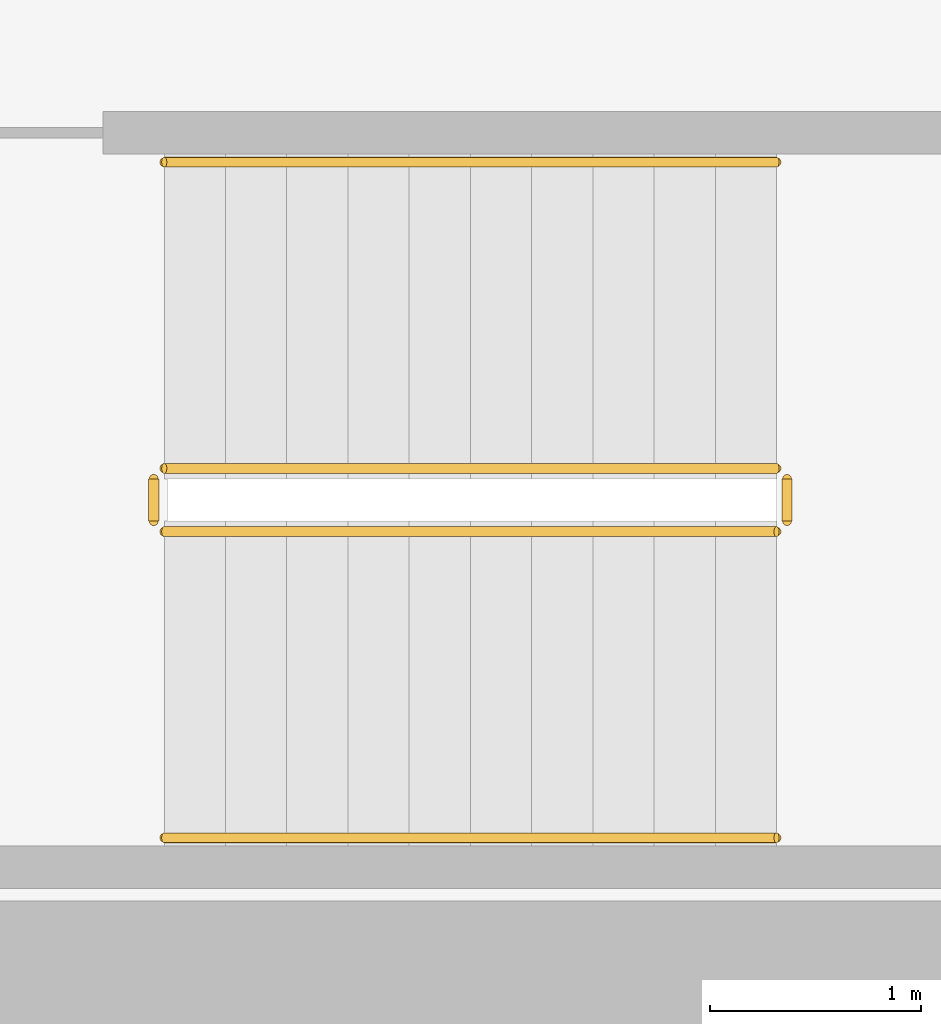
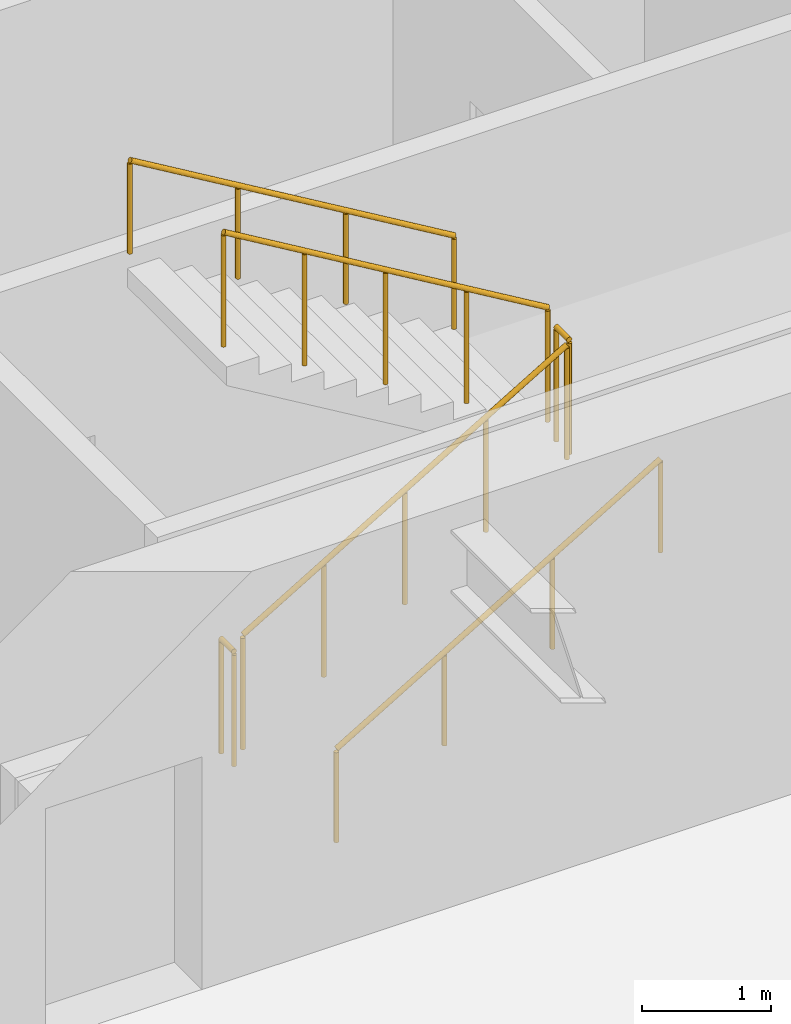
# One storey, part 19 of 20: 6 railings.
"""IFC4 building model written with IfcOpenShell, lengths in metres."""

from ifc_helpers import new_model, si_unit, direction, frame, origin, origin_2d, place, context, subcontext, project, spatial, circle, extrude, material, type_object, element, save


model = new_model("IFC4")

# Units and contexts
model_context = context("Model", 3, precision=1e-05, world=origin(), true_north=direction((0.0, 1.0)))
body_context = subcontext(model_context, "Body", "Model", "MODEL_VIEW")
ifc_project = project(units=[si_unit("LENGTHUNIT", "METRE"), si_unit("AREAUNIT", "SQUARE_METRE"), si_unit("VOLUMEUNIT", "CUBIC_METRE"), si_unit("PLANEANGLEUNIT", "RADIAN"), si_unit("MASSUNIT", "GRAM", prefix="KILO")], contexts=[model_context])

# Site, building, storey
site_placement = place(None, origin())
site = spatial("IfcSite", under=ifc_project, at=site_placement, CompositionType="ELEMENT")
building_placement = place(site_placement, origin())
building = spatial("IfcBuilding", under=site, at=building_placement, Name="Putna Gate Headquarters", CompositionType="ELEMENT")
storey_placement = place(building_placement, frame((0.0, 0.0, 124.0)))
storey = spatial("IfcBuildingStorey", under=building, at=storey_placement, Name="L30", CompositionType="ELEMENT", Elevation=124.0)

# Railings
ifc_material_1 = material(Name="Powder-coated steel stair guardrail", Category="steel")
railing_type_1 = type_object("IfcRailingType", Name="RAIL-STAIR-GUARD-1100", PredefinedType="GUARDRAIL", material=ifc_material_1)
railing_1_placement = place(storey_placement, frame((57.89990234375, 21.10009765625, 0.172607421875)))
element("IfcRailing", 1, at=railing_1_placement, inside=storey, type_object=railing_type_1, Name="L30 ST2 stair guard 1", PredefinedType="GUARDRAIL", context=body_context, shape_type="SweptSolid", body=[
    extrude(circle(Radius=0.02392578125, at=origin_2d()), frame((0.0, 0.0, 1.076171875), z_axis=(0.859160404282, 0.0, 0.51170636083), x_axis=(0.0, 1.0, 0.0)), (0.0, 0.0, 1.0), 3.37548828125),
    extrude(circle(Radius=0.02099609375, at=origin_2d()), origin(), (0.0, 0.0, 1.0), 1.052001953125),
    extrude(circle(Radius=0.02099609375, at=origin_2d()), frame((0.72509765625, 0.0, 0.431884765625)), (0.0, 0.0, 1.0), 1.052001953125),
    extrude(circle(Radius=0.02099609375, at=origin_2d()), frame((1.4501953125, 0.0, 0.86376953125)), (0.0, 0.0, 1.0), 1.052001953125),
    extrude(circle(Radius=0.02099609375, at=origin_2d()), frame((2.175048828125, 0.0, 1.29541015625)), (0.0, 0.0, 1.0), 1.052001953125),
    extrude(circle(Radius=0.02099609375, at=origin_2d()), frame((2.900146484375, 0.0, 1.727294921875)), (0.0, 0.0, 1.0), 1.052001953125),
])
railing_2_placement = place(storey_placement, frame((60.85009765625, 21.14990234375, 1.89990234375)))
element("IfcRailing", 2, at=railing_2_placement, inside=storey, type_object=railing_type_1, Name="L30 ST2 stair guard 2", PredefinedType="GUARDRAIL", context=body_context, shape_type="SweptSolid", body=[
    extrude(circle(Radius=0.02392578125, at=origin_2d()), frame((0.0, 0.0, 1.076171875), z_axis=(0.0, 1.0, 0.0), x_axis=(-1.0, 0.0, 0.0)), (0.0, 0.0, 1.0), 0.2001953125),
    extrude(circle(Radius=0.02099609375, at=origin_2d()), origin(), (0.0, 0.0, 1.0), 1.052001953125),
    extrude(circle(Radius=0.02099609375, at=origin_2d()), frame((0.0, 0.2001953125, 0.0)), (0.0, 0.0, 1.0), 1.052001953125),
])
railing_3_placement = place(storey_placement, frame((60.800048828125, 21.39990234375, 2.07275390625)))
element("IfcRailing", 3, at=railing_3_placement, inside=storey, type_object=railing_type_1, Name="L30 ST2 stair guard 3", PredefinedType="GUARDRAIL", context=body_context, shape_type="SweptSolid", body=[
    extrude(circle(Radius=0.02392578125, at=origin_2d()), frame((0.0, 0.0, 1.076171875), z_axis=(-0.859160404282, 0.0, 0.51170636083), x_axis=(0.0, -1.0, 0.0)), (0.0, 0.0, 1.0), 3.37548828125),
    extrude(circle(Radius=0.02099609375, at=origin_2d()), origin(), (0.0, 0.0, 1.0), 1.052001953125),
    extrude(circle(Radius=0.02099609375, at=origin_2d()), frame((-0.72509765625, 0.0, 0.431884765625)), (0.0, 0.0, 1.0), 1.052001953125),
    extrude(circle(Radius=0.02099609375, at=origin_2d()), frame((-1.4501953125, 0.0, 0.86376953125)), (0.0, 0.0, 1.0), 1.052001953125),
    extrude(circle(Radius=0.02099609375, at=origin_2d()), frame((-2.175048828125, 0.0, 1.29541015625)), (0.0, 0.0, 1.0), 1.052001953125),
    extrude(circle(Radius=0.02099609375, at=origin_2d()), frame((-2.900146484375, 0.0, 1.727294921875)), (0.0, 0.0, 1.0), 1.052001953125),
])
railing_4_placement = place(storey_placement, frame((57.85009765625, 21.14990234375, 0.0)))
element("IfcRailing", 4, at=railing_4_placement, inside=storey, type_object=railing_type_1, Name="L30 ST2 stair guard 4", PredefinedType="GUARDRAIL", context=body_context, shape_type="SweptSolid", body=[
    extrude(circle(Radius=0.02392578125, at=origin_2d()), frame((0.0, 0.0, 1.076171875), z_axis=(0.0, 1.0, 0.0), x_axis=(-1.0, 0.0, 0.0)), (0.0, 0.0, 1.0), 0.2001953125),
    extrude(circle(Radius=0.02099609375, at=origin_2d()), origin(), (0.0, 0.0, 1.0), 1.052001953125),
    extrude(circle(Radius=0.02099609375, at=origin_2d()), frame((0.0, 0.2001953125, 0.0)), (0.0, 0.0, 1.0), 1.052001953125),
])
ifc_material_2 = material(Name="Brushed stainless steel handrail", Category="steel")
railing_type_2 = type_object("IfcRailingType", Name="RAIL-STAIR-HAND-900", PredefinedType="HANDRAIL", material=ifc_material_2)
railing_5_placement = place(storey_placement, frame((57.89990234375, 19.64990234375, 0.172607421875)))
element("IfcRailing", 5, at=railing_5_placement, inside=storey, type_object=railing_type_2, Name="L30 ST2 stair handrail 1", PredefinedType="HANDRAIL", context=body_context, shape_type="SweptSolid", body=[
    extrude(circle(Radius=0.02392578125, at=origin_2d()), frame((0.0, 0.0, 0.8759765625), z_axis=(0.859160404282, 0.0, 0.51170636083), x_axis=(0.0, 1.0, 0.0)), (0.0, 0.0, 1.0), 3.37548828125),
    extrude(circle(Radius=0.02099609375, at=origin_2d()), origin(), (0.0, 0.0, 1.0), 0.851806640625),
    extrude(circle(Radius=0.02099609375, at=origin_2d()), frame((0.966796875, 0.0, 0.57568359375)), (0.0, 0.0, 1.0), 0.851806640625),
    extrude(circle(Radius=0.02099609375, at=origin_2d()), frame((1.933349609375, 0.0, 1.151611328125)), (0.0, 0.0, 1.0), 0.851806640625),
    extrude(circle(Radius=0.02099609375, at=origin_2d()), frame((2.900146484375, 0.0, 1.727294921875)), (0.0, 0.0, 1.0), 0.851806640625),
])
railing_6_placement = place(storey_placement, frame((60.800048828125, 22.85009765625, 2.07275390625)))
element("IfcRailing", 6, at=railing_6_placement, inside=storey, type_object=railing_type_2, Name="L30 ST2 stair handrail 2", PredefinedType="HANDRAIL", context=body_context, shape_type="SweptSolid", body=[
    extrude(circle(Radius=0.02392578125, at=origin_2d()), frame((0.0, 0.0, 0.8759765625), z_axis=(-0.859160404282, 0.0, 0.51170636083), x_axis=(0.0, -1.0, 0.0)), (0.0, 0.0, 1.0), 3.37548828125),
    extrude(circle(Radius=0.02099609375, at=origin_2d()), origin(), (0.0, 0.0, 1.0), 0.851806640625),
    extrude(circle(Radius=0.02099609375, at=origin_2d()), frame((-0.966796875, 0.0, 0.57568359375)), (0.0, 0.0, 1.0), 0.851806640625),
    extrude(circle(Radius=0.02099609375, at=origin_2d()), frame((-1.933349609375, 0.0, 1.151611328125)), (0.0, 0.0, 1.0), 0.851806640625),
    extrude(circle(Radius=0.02099609375, at=origin_2d()), frame((-2.900146484375, 0.0, 1.727294921875)), (0.0, 0.0, 1.0), 0.851806640625),
])

save(model, "model.ifc")
